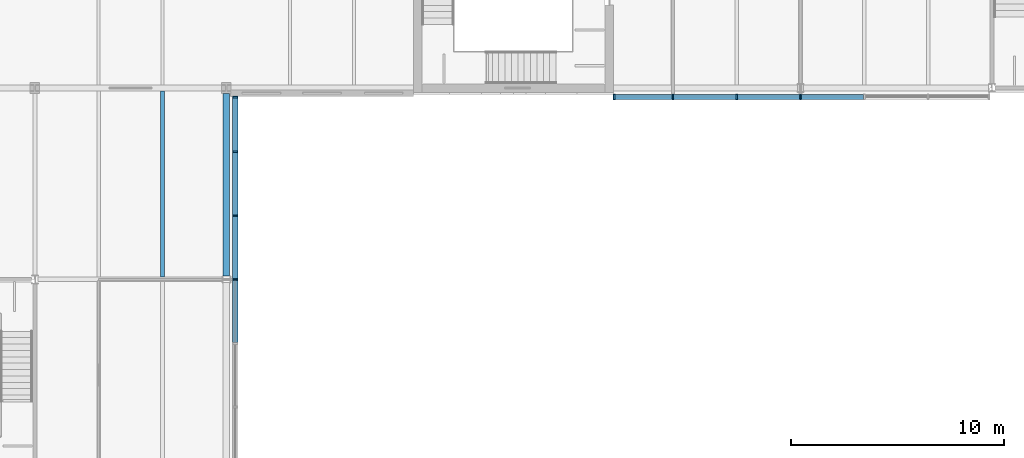
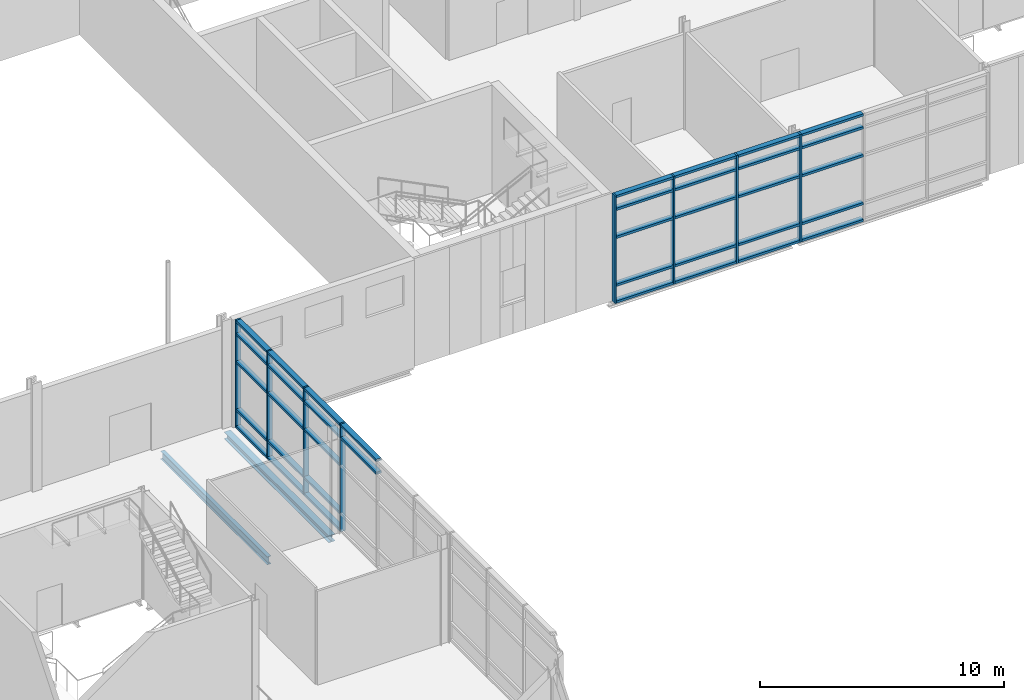
# One storey, part 19 of 56: 45 members, 2 beams, 2 elements without a shape of their own.
"""IFC4 building model written with IfcOpenShell, lengths in metres."""

from ifc_helpers import new_model, si_unit, direction, frame, origin, origin_2d, place, context, subcontext, project, spatial, rectangle, i_section, extrude, material, material_profile, profile_set, type_object, element, aggregate, save


model = new_model("IFC4")

# Units and contexts
model_context = context("Model", 3, precision=1e-05, world=origin(), true_north=direction((0.0, 1.0)))
body_context = subcontext(model_context, "Body", "Model", "MODEL_VIEW")
ifc_project = project(units=[si_unit("LENGTHUNIT", "METRE"), si_unit("AREAUNIT", "SQUARE_METRE"), si_unit("VOLUMEUNIT", "CUBIC_METRE"), si_unit("PLANEANGLEUNIT", "RADIAN"), si_unit("MASSUNIT", "GRAM", prefix="KILO")], contexts=[model_context])

# Site, building, storey
site_placement = place(None, origin())
site = spatial("IfcSite", under=ifc_project, at=site_placement, CompositionType="ELEMENT")
building_placement = place(site_placement, origin())
building = spatial("IfcBuilding", under=site, at=building_placement, Name="Azimuth Sports and Learning Centre", CompositionType="ELEMENT")
storey_placement = place(building_placement, frame((0.0, 0.0, 5.39990234375)))
storey = spatial("IfcBuildingStorey", under=building, at=storey_placement, Name="L01", CompositionType="ELEMENT", Elevation=5.39990234375)

# Beams
ifc_material_1 = material(Name="Steel S355", Category="steel")
ifc_material_profile_1 = material_profile(ifc_material_1, i_section(OverallWidth=0.300048828125, OverallDepth=0.35009765625, WebThickness=0.010009765625, FlangeThickness=0.017578125, FilletRadius=0.027099609375, at=origin_2d()), Name="HEA 360")
ifc_profile_set_1 = profile_set([ifc_material_profile_1], Name="Steel S355")
beam_type_1 = type_object("IfcBeamType", Name="Edge beam HEA 360", PredefinedType="SPANDREL", material=ifc_profile_set_1)
beam_1_placement = place(storey_placement, frame((99.0, 81.14990234375, -0.324951171875), z_axis=(0.0, 1.0, 0.0), x_axis=(-1.0, 0.0, 0.0)))
element("IfcBeam", 1, at=beam_1_placement, inside=storey, type_object=beam_type_1, Name="Edge beam L01 ST 38", PredefinedType="SPANDREL", context=body_context, shape_type="SweptSolid", body=[
    extrude(i_section(OverallWidth=0.300048828125, OverallDepth=0.35009765625, WebThickness=0.010009765625, FlangeThickness=0.017578125, FilletRadius=0.027099609375, at=origin_2d()), origin(), (0.0, 0.0, 1.0), 8.584716796875),
])
ifc_material_2 = material(Name="Steel S355", Category="steel")
ifc_material_profile_2 = material_profile(ifc_material_2, i_section(OverallWidth=0.179931640625, OverallDepth=0.39990234375, WebThickness=0.008544921875, FlangeThickness=0.013427734375, FilletRadius=0.02099609375, at=origin_2d()), Name="IPE 400")
ifc_profile_set_2 = profile_set([ifc_material_profile_2], Name="Steel S355")
beam_type_2 = type_object("IfcBeamType", Name="Joist IPE 400", PredefinedType="JOIST", material=ifc_profile_set_2)
beam_2_placement = place(storey_placement, frame((96.0, 81.10498046875, -0.349853515625), z_axis=(0.0, 1.0, 0.0), x_axis=(-1.0, 0.0, 0.0)))
element("IfcBeam", 2, at=beam_2_placement, inside=storey, type_object=beam_type_2, Name="Joist L01 ST 81", PredefinedType="JOIST", context=body_context, shape_type="SweptSolid", body=[
    extrude(i_section(OverallWidth=0.179931640625, OverallDepth=0.39990234375, WebThickness=0.008544921875, FlangeThickness=0.013427734375, FilletRadius=0.02099609375, at=origin_2d()), origin(), (0.0, 0.0, 1.0), 8.7451171875),
])

# Curtain wall, members
ifc_material_3 = material(Name="Aluminium and glass", Category="aluminium")
curtain_wall_type_1 = type_object("IfcCurtainWallType", Name="Curtain wall podium stem 240", PredefinedType="NOTDEFINED", material=ifc_material_3)
curtain_wall_1_placement = place(storey_placement, origin())
curtain_wall_1 = element("IfcCurtainWall", 3, at=curtain_wall_1_placement, inside=storey, type_object=curtain_wall_type_1, Name="Curtain wall CW01-008", PredefinedType="NOTDEFINED")
ifc_material_4 = material(Name="Aluminium", Category="aluminium")
ifc_material_profile_3 = material_profile(ifc_material_4, rectangle(XDim=0.239990234375, YDim=0.080078125, at=origin_2d()), Name="Mullion 80x240")
ifc_profile_set_3 = profile_set([ifc_material_profile_3], Name="Aluminium")
member_type_1 = type_object("IfcMemberType", Name="Mullion 80x240", PredefinedType="MULLION", material=ifc_profile_set_3)
member_1_placement = place(storey_placement, frame((99.419921875, 81.0, 0.0), z_axis=(0.0, 0.0, 1.0), x_axis=(-1.0, 0.0, 0.0)))
member_1 = element("IfcMember", 4, at=member_1_placement, type_object=member_type_1, Name="CW01-008 mullion 7", PredefinedType="MULLION", context=body_context, shape_type="SweptSolid", body=[
    extrude(rectangle(XDim=0.239990234375, YDim=0.080078125, at=origin_2d()), origin(), (0.0, 0.0, 1.0), 5.400146484375),
])
member_2_placement = place(storey_placement, frame((99.419921875, 84.0, 0.0), z_axis=(0.0, 0.0, 1.0), x_axis=(-1.0, 0.0, 0.0)))
member_2 = element("IfcMember", 5, at=member_2_placement, type_object=member_type_1, Name="CW01-008 mullion 8", PredefinedType="MULLION", context=body_context, shape_type="SweptSolid", body=[
    extrude(rectangle(XDim=0.239990234375, YDim=0.080078125, at=origin_2d()), origin(), (0.0, 0.0, 1.0), 5.400146484375),
])
member_3_placement = place(storey_placement, frame((99.419921875, 87.0, 0.0), z_axis=(0.0, 0.0, 1.0), x_axis=(-1.0, 0.0, 0.0)))
member_3 = element("IfcMember", 6, at=member_3_placement, type_object=member_type_1, Name="CW01-008 mullion 9", PredefinedType="MULLION", context=body_context, shape_type="SweptSolid", body=[
    extrude(rectangle(XDim=0.239990234375, YDim=0.080078125, at=origin_2d()), origin(), (0.0, 0.0, 1.0), 5.400146484375),
])
member_4_placement = place(storey_placement, frame((99.419921875, 89.570068359375, 0.0), z_axis=(0.0, 0.0, 1.0), x_axis=(-1.0, 0.0, 0.0)))
member_4 = element("IfcMember", 7, at=member_4_placement, type_object=member_type_1, Name="CW01-008 mullion 10", PredefinedType="MULLION", context=body_context, shape_type="SweptSolid", body=[
    extrude(rectangle(XDim=0.239990234375, YDim=0.080078125, at=origin_2d()), origin(), (0.0, 0.0, 1.0), 5.400146484375),
])

ifc_material_5 = material(Name="Aluminium and glass", Category="aluminium")
curtain_wall_type_2 = type_object("IfcCurtainWallType", Name="Curtain wall podium wing 240", PredefinedType="NOTDEFINED", material=ifc_material_5)
curtain_wall_2_placement = place(storey_placement, origin())
curtain_wall_2 = element("IfcCurtainWall", 8, at=curtain_wall_2_placement, inside=storey, type_object=curtain_wall_type_2, Name="Curtain wall CW01-009", PredefinedType="NOTDEFINED")
member_5_placement = place(storey_placement, frame((117.239990234375, 89.580078125, 0.0), z_axis=(0.0, 0.0, 1.0), x_axis=(0.0, 1.0, 0.0)))
member_5 = element("IfcMember", 9, at=member_5_placement, type_object=member_type_1, Name="CW01-009 mullion 1", PredefinedType="MULLION", context=body_context, shape_type="SweptSolid", body=[
    extrude(rectangle(XDim=0.239990234375, YDim=0.080078125, at=origin_2d()), origin(), (0.0, 0.0, 1.0), 5.400146484375),
])
member_6_placement = place(storey_placement, frame((120.0, 89.580078125, 0.0), z_axis=(0.0, 0.0, 1.0), x_axis=(0.0, 1.0, 0.0)))
member_6 = element("IfcMember", 10, at=member_6_placement, type_object=member_type_1, Name="CW01-009 mullion 2", PredefinedType="MULLION", context=body_context, shape_type="SweptSolid", body=[
    extrude(rectangle(XDim=0.239990234375, YDim=0.080078125, at=origin_2d()), origin(), (0.0, 0.0, 1.0), 5.400146484375),
])
member_7_placement = place(storey_placement, frame((123.0, 89.580078125, 0.0), z_axis=(0.0, 0.0, 1.0), x_axis=(0.0, 1.0, 0.0)))
member_7 = element("IfcMember", 11, at=member_7_placement, type_object=member_type_1, Name="CW01-009 mullion 3", PredefinedType="MULLION", context=body_context, shape_type="SweptSolid", body=[
    extrude(rectangle(XDim=0.239990234375, YDim=0.080078125, at=origin_2d()), origin(), (0.0, 0.0, 1.0), 5.400146484375),
])
member_8_placement = place(storey_placement, frame((126.0, 89.580078125, 0.0), z_axis=(0.0, 0.0, 1.0), x_axis=(0.0, 1.0, 0.0)))
member_8 = element("IfcMember", 12, at=member_8_placement, type_object=member_type_1, Name="CW01-009 mullion 4", PredefinedType="MULLION", context=body_context, shape_type="SweptSolid", body=[
    extrude(rectangle(XDim=0.239990234375, YDim=0.080078125, at=origin_2d()), origin(), (0.0, 0.0, 1.0), 5.400146484375),
])

# Member
ifc_material_6 = material(Name="Aluminium", Category="aluminium")
ifc_material_profile_4 = material_profile(ifc_material_6, rectangle(XDim=0.239990234375, YDim=0.1201171875, at=origin_2d()), Name="Transom 120x240")
ifc_profile_set_4 = profile_set([ifc_material_profile_4], Name="Aluminium")
member_type_2 = type_object("IfcMemberType", Name="Transom 120x240", PredefinedType="USERDEFINED", material=ifc_profile_set_4)
member_9_placement = place(storey_placement, frame((99.419921875, 78.0400390625, 4.7001953125), z_axis=(0.0, 1.0, 0.0), x_axis=(-1.0, 0.0, 0.0)))
member_9 = element("IfcMember", 13, at=member_9_placement, type_object=member_type_2, Name="CW01-008 transom 6.4", ObjectType="TRANSOM", PredefinedType="USERDEFINED", context=body_context, shape_type="SweptSolid", body=[
    extrude(rectangle(XDim=0.239990234375, YDim=0.1201171875, at=origin_2d()), origin(), (0.0, 0.0, 1.0), 2.919921875),
])

member_10_placement = place(storey_placement, frame((99.419921875, 78.0400390625, 5.340087890625), z_axis=(0.0, 1.0, 0.0), x_axis=(-1.0, 0.0, 0.0)))
member_10 = element("IfcMember", 14, at=member_10_placement, type_object=member_type_2, Name="CW01-008 transom 6.5", ObjectType="TRANSOM", PredefinedType="USERDEFINED", context=body_context, shape_type="SweptSolid", body=[
    extrude(rectangle(XDim=0.239990234375, YDim=0.1201171875, at=origin_2d()), origin(), (0.0, 0.0, 1.0), 2.919921875),
])

member_11_placement = place(storey_placement, frame((99.419921875, 81.0400390625, 0.06005859375), z_axis=(0.0, 1.0, 0.0), x_axis=(-1.0, 0.0, 0.0)))
member_11 = element("IfcMember", 15, at=member_11_placement, type_object=member_type_2, Name="CW01-008 transom 7.1", ObjectType="TRANSOM", PredefinedType="USERDEFINED", context=body_context, shape_type="SweptSolid", body=[
    extrude(rectangle(XDim=0.239990234375, YDim=0.1201171875, at=origin_2d()), origin(), (0.0, 0.0, 1.0), 2.919921875),
])

member_12_placement = place(storey_placement, frame((99.419921875, 81.0400390625, 0.900146484375), z_axis=(0.0, 1.0, 0.0), x_axis=(-1.0, 0.0, 0.0)))
member_12 = element("IfcMember", 16, at=member_12_placement, type_object=member_type_2, Name="CW01-008 transom 7.2", ObjectType="TRANSOM", PredefinedType="USERDEFINED", context=body_context, shape_type="SweptSolid", body=[
    extrude(rectangle(XDim=0.239990234375, YDim=0.1201171875, at=origin_2d()), origin(), (0.0, 0.0, 1.0), 2.919921875),
])

member_13_placement = place(storey_placement, frame((99.419921875, 81.0400390625, 3.300048828125), z_axis=(0.0, 1.0, 0.0), x_axis=(-1.0, 0.0, 0.0)))
member_13 = element("IfcMember", 17, at=member_13_placement, type_object=member_type_2, Name="CW01-008 transom 7.3", ObjectType="TRANSOM", PredefinedType="USERDEFINED", context=body_context, shape_type="SweptSolid", body=[
    extrude(rectangle(XDim=0.239990234375, YDim=0.1201171875, at=origin_2d()), origin(), (0.0, 0.0, 1.0), 2.919921875),
])

member_14_placement = place(storey_placement, frame((99.419921875, 81.0400390625, 4.7001953125), z_axis=(0.0, 1.0, 0.0), x_axis=(-1.0, 0.0, 0.0)))
member_14 = element("IfcMember", 18, at=member_14_placement, type_object=member_type_2, Name="CW01-008 transom 7.4", ObjectType="TRANSOM", PredefinedType="USERDEFINED", context=body_context, shape_type="SweptSolid", body=[
    extrude(rectangle(XDim=0.239990234375, YDim=0.1201171875, at=origin_2d()), origin(), (0.0, 0.0, 1.0), 2.919921875),
])

member_15_placement = place(storey_placement, frame((99.419921875, 81.0400390625, 5.340087890625), z_axis=(0.0, 1.0, 0.0), x_axis=(-1.0, 0.0, 0.0)))
member_15 = element("IfcMember", 19, at=member_15_placement, type_object=member_type_2, Name="CW01-008 transom 7.5", ObjectType="TRANSOM", PredefinedType="USERDEFINED", context=body_context, shape_type="SweptSolid", body=[
    extrude(rectangle(XDim=0.239990234375, YDim=0.1201171875, at=origin_2d()), origin(), (0.0, 0.0, 1.0), 2.919921875),
])

member_16_placement = place(storey_placement, frame((99.419921875, 84.0400390625, 0.06005859375), z_axis=(0.0, 1.0, 0.0), x_axis=(-1.0, 0.0, 0.0)))
member_16 = element("IfcMember", 20, at=member_16_placement, type_object=member_type_2, Name="CW01-008 transom 8.1", ObjectType="TRANSOM", PredefinedType="USERDEFINED", context=body_context, shape_type="SweptSolid", body=[
    extrude(rectangle(XDim=0.239990234375, YDim=0.1201171875, at=origin_2d()), origin(), (0.0, 0.0, 1.0), 2.919921875),
])

member_17_placement = place(storey_placement, frame((99.419921875, 84.0400390625, 0.900146484375), z_axis=(0.0, 1.0, 0.0), x_axis=(-1.0, 0.0, 0.0)))
member_17 = element("IfcMember", 21, at=member_17_placement, type_object=member_type_2, Name="CW01-008 transom 8.2", ObjectType="TRANSOM", PredefinedType="USERDEFINED", context=body_context, shape_type="SweptSolid", body=[
    extrude(rectangle(XDim=0.239990234375, YDim=0.1201171875, at=origin_2d()), origin(), (0.0, 0.0, 1.0), 2.919921875),
])

member_18_placement = place(storey_placement, frame((99.419921875, 84.0400390625, 3.300048828125), z_axis=(0.0, 1.0, 0.0), x_axis=(-1.0, 0.0, 0.0)))
member_18 = element("IfcMember", 22, at=member_18_placement, type_object=member_type_2, Name="CW01-008 transom 8.3", ObjectType="TRANSOM", PredefinedType="USERDEFINED", context=body_context, shape_type="SweptSolid", body=[
    extrude(rectangle(XDim=0.239990234375, YDim=0.1201171875, at=origin_2d()), origin(), (0.0, 0.0, 1.0), 2.919921875),
])

member_19_placement = place(storey_placement, frame((99.419921875, 84.0400390625, 4.7001953125), z_axis=(0.0, 1.0, 0.0), x_axis=(-1.0, 0.0, 0.0)))
member_19 = element("IfcMember", 23, at=member_19_placement, type_object=member_type_2, Name="CW01-008 transom 8.4", ObjectType="TRANSOM", PredefinedType="USERDEFINED", context=body_context, shape_type="SweptSolid", body=[
    extrude(rectangle(XDim=0.239990234375, YDim=0.1201171875, at=origin_2d()), origin(), (0.0, 0.0, 1.0), 2.919921875),
])

member_20_placement = place(storey_placement, frame((99.419921875, 84.0400390625, 5.340087890625), z_axis=(0.0, 1.0, 0.0), x_axis=(-1.0, 0.0, 0.0)))
member_20 = element("IfcMember", 24, at=member_20_placement, type_object=member_type_2, Name="CW01-008 transom 8.5", ObjectType="TRANSOM", PredefinedType="USERDEFINED", context=body_context, shape_type="SweptSolid", body=[
    extrude(rectangle(XDim=0.239990234375, YDim=0.1201171875, at=origin_2d()), origin(), (0.0, 0.0, 1.0), 2.919921875),
])

member_21_placement = place(storey_placement, frame((99.419921875, 87.0400390625, 0.06005859375), z_axis=(0.0, 1.0, 0.0), x_axis=(-1.0, 0.0, 0.0)))
member_21 = element("IfcMember", 25, at=member_21_placement, type_object=member_type_2, Name="CW01-008 transom 9.1", ObjectType="TRANSOM", PredefinedType="USERDEFINED", context=body_context, shape_type="SweptSolid", body=[
    extrude(rectangle(XDim=0.239990234375, YDim=0.1201171875, at=origin_2d()), origin(), (0.0, 0.0, 1.0), 2.489990234375),
])

member_22_placement = place(storey_placement, frame((99.419921875, 87.0400390625, 0.900146484375), z_axis=(0.0, 1.0, 0.0), x_axis=(-1.0, 0.0, 0.0)))
member_22 = element("IfcMember", 26, at=member_22_placement, type_object=member_type_2, Name="CW01-008 transom 9.2", ObjectType="TRANSOM", PredefinedType="USERDEFINED", context=body_context, shape_type="SweptSolid", body=[
    extrude(rectangle(XDim=0.239990234375, YDim=0.1201171875, at=origin_2d()), origin(), (0.0, 0.0, 1.0), 2.489990234375),
])

member_23_placement = place(storey_placement, frame((99.419921875, 87.0400390625, 3.300048828125), z_axis=(0.0, 1.0, 0.0), x_axis=(-1.0, 0.0, 0.0)))
member_23 = element("IfcMember", 27, at=member_23_placement, type_object=member_type_2, Name="CW01-008 transom 9.3", ObjectType="TRANSOM", PredefinedType="USERDEFINED", context=body_context, shape_type="SweptSolid", body=[
    extrude(rectangle(XDim=0.239990234375, YDim=0.1201171875, at=origin_2d()), origin(), (0.0, 0.0, 1.0), 2.489990234375),
])

member_24_placement = place(storey_placement, frame((99.419921875, 87.0400390625, 4.7001953125), z_axis=(0.0, 1.0, 0.0), x_axis=(-1.0, 0.0, 0.0)))
member_24 = element("IfcMember", 28, at=member_24_placement, type_object=member_type_2, Name="CW01-008 transom 9.4", ObjectType="TRANSOM", PredefinedType="USERDEFINED", context=body_context, shape_type="SweptSolid", body=[
    extrude(rectangle(XDim=0.239990234375, YDim=0.1201171875, at=origin_2d()), origin(), (0.0, 0.0, 1.0), 2.489990234375),
])

member_25_placement = place(storey_placement, frame((99.419921875, 87.0400390625, 5.340087890625), z_axis=(0.0, 1.0, 0.0), x_axis=(-1.0, 0.0, 0.0)))
member_25 = element("IfcMember", 29, at=member_25_placement, type_object=member_type_2, Name="CW01-008 transom 9.5", ObjectType="TRANSOM", PredefinedType="USERDEFINED", context=body_context, shape_type="SweptSolid", body=[
    extrude(rectangle(XDim=0.239990234375, YDim=0.1201171875, at=origin_2d()), origin(), (0.0, 0.0, 1.0), 2.489990234375),
])

aggregate(curtain_wall_1, [member_1, member_2, member_3, member_4, member_9, member_10, member_11, member_12, member_13, member_14, member_15, member_16, member_17, member_18, member_19, member_20, member_21, member_22, member_23, member_24, member_25])

member_26_placement = place(storey_placement, frame((117.280029296875, 89.580078125, 0.06005859375), z_axis=(1.0, 0.0, 0.0), x_axis=(0.0, 1.0, 0.0)))
member_26 = element("IfcMember", 30, at=member_26_placement, type_object=member_type_2, Name="CW01-009 transom 1.1", ObjectType="TRANSOM", PredefinedType="USERDEFINED", context=body_context, shape_type="SweptSolid", body=[
    extrude(rectangle(XDim=0.239990234375, YDim=0.1201171875, at=origin_2d()), origin(), (0.0, 0.0, 1.0), 2.679931640625),
])

member_27_placement = place(storey_placement, frame((117.280029296875, 89.580078125, 0.900146484375), z_axis=(1.0, 0.0, 0.0), x_axis=(0.0, 1.0, 0.0)))
member_27 = element("IfcMember", 31, at=member_27_placement, type_object=member_type_2, Name="CW01-009 transom 1.2", ObjectType="TRANSOM", PredefinedType="USERDEFINED", context=body_context, shape_type="SweptSolid", body=[
    extrude(rectangle(XDim=0.239990234375, YDim=0.1201171875, at=origin_2d()), origin(), (0.0, 0.0, 1.0), 2.679931640625),
])

member_28_placement = place(storey_placement, frame((117.280029296875, 89.580078125, 3.300048828125), z_axis=(1.0, 0.0, 0.0), x_axis=(0.0, 1.0, 0.0)))
member_28 = element("IfcMember", 32, at=member_28_placement, type_object=member_type_2, Name="CW01-009 transom 1.3", ObjectType="TRANSOM", PredefinedType="USERDEFINED", context=body_context, shape_type="SweptSolid", body=[
    extrude(rectangle(XDim=0.239990234375, YDim=0.1201171875, at=origin_2d()), origin(), (0.0, 0.0, 1.0), 2.679931640625),
])

member_29_placement = place(storey_placement, frame((117.280029296875, 89.580078125, 4.7001953125), z_axis=(1.0, 0.0, 0.0), x_axis=(0.0, 1.0, 0.0)))
member_29 = element("IfcMember", 33, at=member_29_placement, type_object=member_type_2, Name="CW01-009 transom 1.4", ObjectType="TRANSOM", PredefinedType="USERDEFINED", context=body_context, shape_type="SweptSolid", body=[
    extrude(rectangle(XDim=0.239990234375, YDim=0.1201171875, at=origin_2d()), origin(), (0.0, 0.0, 1.0), 2.679931640625),
])

member_30_placement = place(storey_placement, frame((117.280029296875, 89.580078125, 5.340087890625), z_axis=(1.0, 0.0, 0.0), x_axis=(0.0, 1.0, 0.0)))
member_30 = element("IfcMember", 34, at=member_30_placement, type_object=member_type_2, Name="CW01-009 transom 1.5", ObjectType="TRANSOM", PredefinedType="USERDEFINED", context=body_context, shape_type="SweptSolid", body=[
    extrude(rectangle(XDim=0.239990234375, YDim=0.1201171875, at=origin_2d()), origin(), (0.0, 0.0, 1.0), 2.679931640625),
])

member_31_placement = place(storey_placement, frame((120.0400390625, 89.580078125, 0.06005859375), z_axis=(1.0, 0.0, 0.0), x_axis=(0.0, 1.0, 0.0)))
member_31 = element("IfcMember", 35, at=member_31_placement, type_object=member_type_2, Name="CW01-009 transom 2.1", ObjectType="TRANSOM", PredefinedType="USERDEFINED", context=body_context, shape_type="SweptSolid", body=[
    extrude(rectangle(XDim=0.239990234375, YDim=0.1201171875, at=origin_2d()), origin(), (0.0, 0.0, 1.0), 2.919921875),
])

member_32_placement = place(storey_placement, frame((120.0400390625, 89.580078125, 0.900146484375), z_axis=(1.0, 0.0, 0.0), x_axis=(0.0, 1.0, 0.0)))
member_32 = element("IfcMember", 36, at=member_32_placement, type_object=member_type_2, Name="CW01-009 transom 2.2", ObjectType="TRANSOM", PredefinedType="USERDEFINED", context=body_context, shape_type="SweptSolid", body=[
    extrude(rectangle(XDim=0.239990234375, YDim=0.1201171875, at=origin_2d()), origin(), (0.0, 0.0, 1.0), 2.919921875),
])

member_33_placement = place(storey_placement, frame((120.0400390625, 89.580078125, 3.300048828125), z_axis=(1.0, 0.0, 0.0), x_axis=(0.0, 1.0, 0.0)))
member_33 = element("IfcMember", 37, at=member_33_placement, type_object=member_type_2, Name="CW01-009 transom 2.3", ObjectType="TRANSOM", PredefinedType="USERDEFINED", context=body_context, shape_type="SweptSolid", body=[
    extrude(rectangle(XDim=0.239990234375, YDim=0.1201171875, at=origin_2d()), origin(), (0.0, 0.0, 1.0), 2.919921875),
])

member_34_placement = place(storey_placement, frame((120.0400390625, 89.580078125, 4.7001953125), z_axis=(1.0, 0.0, 0.0), x_axis=(0.0, 1.0, 0.0)))
member_34 = element("IfcMember", 38, at=member_34_placement, type_object=member_type_2, Name="CW01-009 transom 2.4", ObjectType="TRANSOM", PredefinedType="USERDEFINED", context=body_context, shape_type="SweptSolid", body=[
    extrude(rectangle(XDim=0.239990234375, YDim=0.1201171875, at=origin_2d()), origin(), (0.0, 0.0, 1.0), 2.919921875),
])

member_35_placement = place(storey_placement, frame((120.0400390625, 89.580078125, 5.340087890625), z_axis=(1.0, 0.0, 0.0), x_axis=(0.0, 1.0, 0.0)))
member_35 = element("IfcMember", 39, at=member_35_placement, type_object=member_type_2, Name="CW01-009 transom 2.5", ObjectType="TRANSOM", PredefinedType="USERDEFINED", context=body_context, shape_type="SweptSolid", body=[
    extrude(rectangle(XDim=0.239990234375, YDim=0.1201171875, at=origin_2d()), origin(), (0.0, 0.0, 1.0), 2.919921875),
])

member_36_placement = place(storey_placement, frame((123.0400390625, 89.580078125, 0.06005859375), z_axis=(1.0, 0.0, 0.0), x_axis=(0.0, 1.0, 0.0)))
member_36 = element("IfcMember", 40, at=member_36_placement, type_object=member_type_2, Name="CW01-009 transom 3.1", ObjectType="TRANSOM", PredefinedType="USERDEFINED", context=body_context, shape_type="SweptSolid", body=[
    extrude(rectangle(XDim=0.239990234375, YDim=0.1201171875, at=origin_2d()), origin(), (0.0, 0.0, 1.0), 2.919921875),
])

member_37_placement = place(storey_placement, frame((123.0400390625, 89.580078125, 0.900146484375), z_axis=(1.0, 0.0, 0.0), x_axis=(0.0, 1.0, 0.0)))
member_37 = element("IfcMember", 41, at=member_37_placement, type_object=member_type_2, Name="CW01-009 transom 3.2", ObjectType="TRANSOM", PredefinedType="USERDEFINED", context=body_context, shape_type="SweptSolid", body=[
    extrude(rectangle(XDim=0.239990234375, YDim=0.1201171875, at=origin_2d()), origin(), (0.0, 0.0, 1.0), 2.919921875),
])

member_38_placement = place(storey_placement, frame((123.0400390625, 89.580078125, 3.300048828125), z_axis=(1.0, 0.0, 0.0), x_axis=(0.0, 1.0, 0.0)))
member_38 = element("IfcMember", 42, at=member_38_placement, type_object=member_type_2, Name="CW01-009 transom 3.3", ObjectType="TRANSOM", PredefinedType="USERDEFINED", context=body_context, shape_type="SweptSolid", body=[
    extrude(rectangle(XDim=0.239990234375, YDim=0.1201171875, at=origin_2d()), origin(), (0.0, 0.0, 1.0), 2.919921875),
])

member_39_placement = place(storey_placement, frame((123.0400390625, 89.580078125, 4.7001953125), z_axis=(1.0, 0.0, 0.0), x_axis=(0.0, 1.0, 0.0)))
member_39 = element("IfcMember", 43, at=member_39_placement, type_object=member_type_2, Name="CW01-009 transom 3.4", ObjectType="TRANSOM", PredefinedType="USERDEFINED", context=body_context, shape_type="SweptSolid", body=[
    extrude(rectangle(XDim=0.239990234375, YDim=0.1201171875, at=origin_2d()), origin(), (0.0, 0.0, 1.0), 2.919921875),
])

member_40_placement = place(storey_placement, frame((123.0400390625, 89.580078125, 5.340087890625), z_axis=(1.0, 0.0, 0.0), x_axis=(0.0, 1.0, 0.0)))
member_40 = element("IfcMember", 44, at=member_40_placement, type_object=member_type_2, Name="CW01-009 transom 3.5", ObjectType="TRANSOM", PredefinedType="USERDEFINED", context=body_context, shape_type="SweptSolid", body=[
    extrude(rectangle(XDim=0.239990234375, YDim=0.1201171875, at=origin_2d()), origin(), (0.0, 0.0, 1.0), 2.919921875),
])

member_41_placement = place(storey_placement, frame((126.0400390625, 89.580078125, 0.06005859375), z_axis=(1.0, 0.0, 0.0), x_axis=(0.0, 1.0, 0.0)))
member_41 = element("IfcMember", 45, at=member_41_placement, type_object=member_type_2, Name="CW01-009 transom 4.1", ObjectType="TRANSOM", PredefinedType="USERDEFINED", context=body_context, shape_type="SweptSolid", body=[
    extrude(rectangle(XDim=0.239990234375, YDim=0.1201171875, at=origin_2d()), origin(), (0.0, 0.0, 1.0), 2.919921875),
])

member_42_placement = place(storey_placement, frame((126.0400390625, 89.580078125, 0.900146484375), z_axis=(1.0, 0.0, 0.0), x_axis=(0.0, 1.0, 0.0)))
member_42 = element("IfcMember", 46, at=member_42_placement, type_object=member_type_2, Name="CW01-009 transom 4.2", ObjectType="TRANSOM", PredefinedType="USERDEFINED", context=body_context, shape_type="SweptSolid", body=[
    extrude(rectangle(XDim=0.239990234375, YDim=0.1201171875, at=origin_2d()), origin(), (0.0, 0.0, 1.0), 2.919921875),
])

member_43_placement = place(storey_placement, frame((126.0400390625, 89.580078125, 3.300048828125), z_axis=(1.0, 0.0, 0.0), x_axis=(0.0, 1.0, 0.0)))
member_43 = element("IfcMember", 47, at=member_43_placement, type_object=member_type_2, Name="CW01-009 transom 4.3", ObjectType="TRANSOM", PredefinedType="USERDEFINED", context=body_context, shape_type="SweptSolid", body=[
    extrude(rectangle(XDim=0.239990234375, YDim=0.1201171875, at=origin_2d()), origin(), (0.0, 0.0, 1.0), 2.919921875),
])

member_44_placement = place(storey_placement, frame((126.0400390625, 89.580078125, 4.7001953125), z_axis=(1.0, 0.0, 0.0), x_axis=(0.0, 1.0, 0.0)))
member_44 = element("IfcMember", 48, at=member_44_placement, type_object=member_type_2, Name="CW01-009 transom 4.4", ObjectType="TRANSOM", PredefinedType="USERDEFINED", context=body_context, shape_type="SweptSolid", body=[
    extrude(rectangle(XDim=0.239990234375, YDim=0.1201171875, at=origin_2d()), origin(), (0.0, 0.0, 1.0), 2.919921875),
])

member_45_placement = place(storey_placement, frame((126.0400390625, 89.580078125, 5.340087890625), z_axis=(1.0, 0.0, 0.0), x_axis=(0.0, 1.0, 0.0)))
member_45 = element("IfcMember", 49, at=member_45_placement, type_object=member_type_2, Name="CW01-009 transom 4.5", ObjectType="TRANSOM", PredefinedType="USERDEFINED", context=body_context, shape_type="SweptSolid", body=[
    extrude(rectangle(XDim=0.239990234375, YDim=0.1201171875, at=origin_2d()), origin(), (0.0, 0.0, 1.0), 2.919921875),
])

aggregate(curtain_wall_2, [member_5, member_6, member_7, member_8, member_26, member_27, member_28, member_29, member_30, member_31, member_32, member_33, member_34, member_35, member_36, member_37, member_38, member_39, member_40, member_41, member_42, member_43, member_44, member_45])

save(model, "model.ifc")
